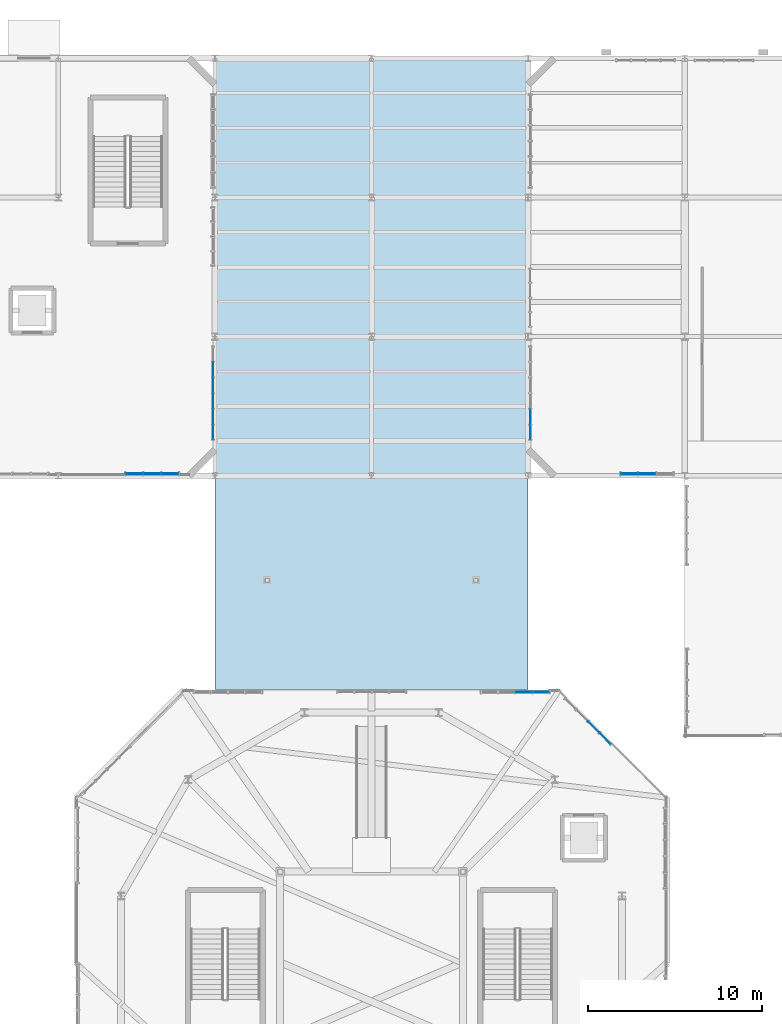
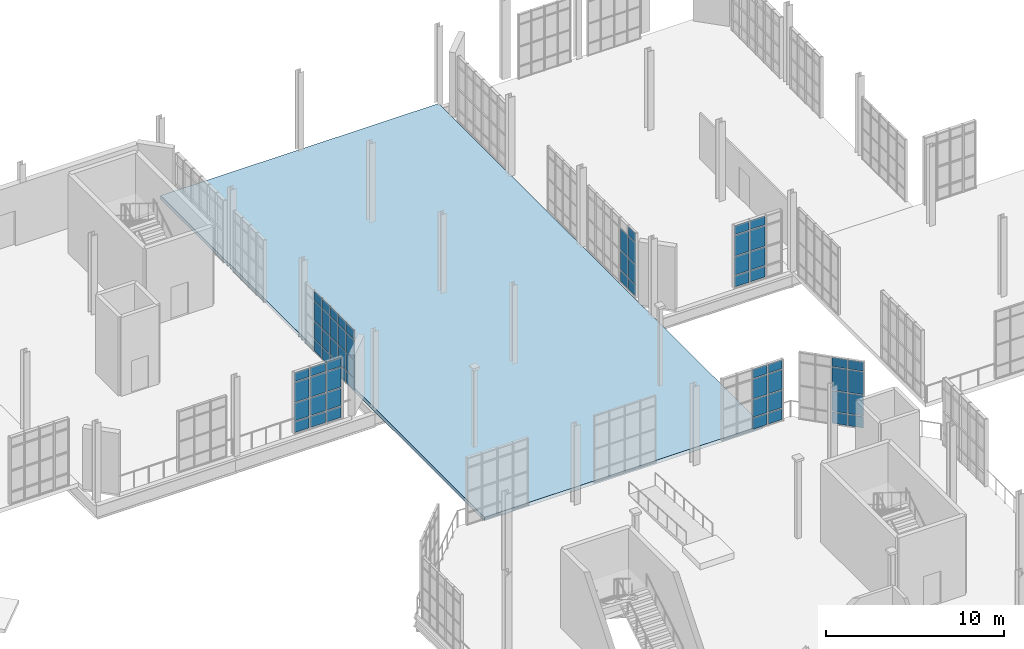
# One storey, part 153 of 189: 63 plates, 1 slab, 6 elements without a shape of their own.
"""IFC4 building model written with IfcOpenShell, lengths in metres."""

from ifc_helpers import new_model, si_unit, direction, frame, origin, origin_2d, place, context, subcontext, project, spatial, polyline, rectangle, outline, extrude, material, layer, layer_set, type_object, element, aggregate, save


model = new_model("IFC4")

# Units and contexts
model_context = context("Model", 3, precision=1e-05, world=origin(), true_north=direction((0.0, 1.0)))
body_context = subcontext(model_context, "Body", "Model", "MODEL_VIEW")
ifc_project = project(units=[si_unit("LENGTHUNIT", "METRE"), si_unit("AREAUNIT", "SQUARE_METRE"), si_unit("VOLUMEUNIT", "CUBIC_METRE"), si_unit("PLANEANGLEUNIT", "RADIAN"), si_unit("MASSUNIT", "GRAM", prefix="KILO"), si_unit("THERMODYNAMICTEMPERATUREUNIT", "KELVIN"), si_unit("POWERUNIT", "WATT")], contexts=[model_context])

# Site, building, storey
site_placement = place(None, origin())
site = spatial("IfcSite", under=ifc_project, at=site_placement, CompositionType="ELEMENT")
building_placement = place(site_placement, origin())
building = spatial("IfcBuilding", under=site, at=building_placement, Name="Zelmaris Science Centre", CompositionType="ELEMENT")
storey_placement = place(building_placement, origin())
storey = spatial("IfcBuildingStorey", under=building, at=storey_placement, Name="L00", CompositionType="ELEMENT", Elevation=0.0)

# Curtain wall, plates
ifc_material_1 = material(Name="Anodised architectural aluminium 6063-T6", Category="aluminium")
ifc_layer_1 = layer(ifc_material_1, 0.18994140625, Name="Anodised architectural aluminium 6063-T6")
ifc_layer_set_1 = layer_set([ifc_layer_1], Name="Anodised architectural aluminium 6063-T6")
curtain_wall_type_1 = type_object("IfcCurtainWallType", Name="Curtain Wall CW-01", PredefinedType="USERDEFINED", material=ifc_layer_set_1)
curtain_wall_1_placement = place(storey_placement, origin())
curtain_wall_1 = element("IfcCurtainWall", 1, at=curtain_wall_1_placement, inside=storey, type_object=curtain_wall_type_1, Name="L00 Unitised curtain wall 33", ObjectType="GLAZED CURTAIN WALL", PredefinedType="USERDEFINED")
ifc_material_2 = material(Name="Laminated hurricane-rated low-E insulated glazing", Category="glass")
ifc_layer_2 = layer(ifc_material_2, 0.031982421875, Name="Laminated hurricane-rated low-E insulated glazing")
ifc_layer_set_2 = layer_set([ifc_layer_2], Name="Laminated hurricane-rated low-E insulated glazing")
plate_type_1 = type_object("IfcPlateType", Name="Curtain Glazing Panel CWP-1 32mm", PredefinedType="CURTAIN_PANEL", material=ifc_layer_set_2)
plate_1_placement = place(storey_placement, frame((69.4169921875, 64.1201171875, 0.05712890625), z_axis=(0.0, 0.0, 1.0), x_axis=(-1.0, 0.0, 0.0)))
plate_1 = element("IfcPlate", 2, at=plate_1_placement, type_object=plate_type_1, Name="CW-01 panel 1.1", PredefinedType="CURTAIN_PANEL", context=body_context, shape_type="SweptSolid", body=[
    extrude(rectangle(XDim=0.94189453125, YDim=0.031982421875, at=origin_2d()), origin(), (0.0, 0.0, 1.0), 0.741943359375),
])
plate_2_placement = place(storey_placement, frame((69.4169921875, 64.1201171875, 0.87109375), z_axis=(0.0, 0.0, 1.0), x_axis=(-1.0, 0.0, 0.0)))
plate_2 = element("IfcPlate", 3, at=plate_2_placement, type_object=plate_type_1, Name="CW-01 panel 1.2", PredefinedType="CURTAIN_PANEL", context=body_context, shape_type="SweptSolid", body=[
    extrude(rectangle(XDim=0.94189453125, YDim=0.031982421875, at=origin_2d()), origin(), (0.0, 0.0, 1.0), 1.197509765625),
])
plate_3_placement = place(storey_placement, frame((69.4169921875, 64.1201171875, 2.140625), z_axis=(0.0, 0.0, 1.0), x_axis=(-1.0, 0.0, 0.0)))
plate_3 = element("IfcPlate", 4, at=plate_3_placement, type_object=plate_type_1, Name="CW-01 panel 1.3", PredefinedType="CURTAIN_PANEL", context=body_context, shape_type="SweptSolid", body=[
    extrude(rectangle(XDim=0.94189453125, YDim=0.031982421875, at=origin_2d()), origin(), (0.0, 0.0, 1.0), 1.347412109375),
])
plate_4_placement = place(storey_placement, frame((69.4169921875, 64.1201171875, 3.56005859375), z_axis=(0.0, 0.0, 1.0), x_axis=(-1.0, 0.0, 0.0)))
plate_4 = element("IfcPlate", 5, at=plate_4_placement, type_object=plate_type_1, Name="CW-01 panel 1.4", PredefinedType="CURTAIN_PANEL", context=body_context, shape_type="SweptSolid", body=[
    extrude(rectangle(XDim=0.94189453125, YDim=0.031982421875, at=origin_2d()), origin(), (0.0, 0.0, 1.0), 0.592041015625),
])
plate_5_placement = place(storey_placement, frame((68.385009765625, 64.1201171875, 0.05712890625), z_axis=(0.0, 0.0, 1.0), x_axis=(-1.0, 0.0, 0.0)))
plate_5 = element("IfcPlate", 6, at=plate_5_placement, type_object=plate_type_1, Name="CW-01 panel 2.1", PredefinedType="CURTAIN_PANEL", context=body_context, shape_type="SweptSolid", body=[
    extrude(rectangle(XDim=0.97802734375, YDim=0.031982421875, at=origin_2d()), origin(), (0.0, 0.0, 1.0), 0.741943359375),
])
plate_6_placement = place(storey_placement, frame((68.385009765625, 64.1201171875, 0.87109375), z_axis=(0.0, 0.0, 1.0), x_axis=(-1.0, 0.0, 0.0)))
plate_6 = element("IfcPlate", 7, at=plate_6_placement, type_object=plate_type_1, Name="CW-01 panel 2.2", PredefinedType="CURTAIN_PANEL", context=body_context, shape_type="SweptSolid", body=[
    extrude(rectangle(XDim=0.97802734375, YDim=0.031982421875, at=origin_2d()), origin(), (0.0, 0.0, 1.0), 1.197509765625),
])
plate_7_placement = place(storey_placement, frame((68.385009765625, 64.1201171875, 2.140625), z_axis=(0.0, 0.0, 1.0), x_axis=(-1.0, 0.0, 0.0)))
plate_7 = element("IfcPlate", 8, at=plate_7_placement, type_object=plate_type_1, Name="CW-01 panel 2.3", PredefinedType="CURTAIN_PANEL", context=body_context, shape_type="SweptSolid", body=[
    extrude(rectangle(XDim=0.97802734375, YDim=0.031982421875, at=origin_2d()), origin(), (0.0, 0.0, 1.0), 1.347412109375),
])
plate_8_placement = place(storey_placement, frame((68.385009765625, 64.1201171875, 3.56005859375), z_axis=(0.0, 0.0, 1.0), x_axis=(-1.0, 0.0, 0.0)))
plate_8 = element("IfcPlate", 9, at=plate_8_placement, type_object=plate_type_1, Name="CW-01 panel 2.4", PredefinedType="CURTAIN_PANEL", context=body_context, shape_type="SweptSolid", body=[
    extrude(rectangle(XDim=0.97802734375, YDim=0.031982421875, at=origin_2d()), origin(), (0.0, 0.0, 1.0), 0.592041015625),
])
plate_9_placement = place(storey_placement, frame((67.35302734375, 64.1201171875, 0.05712890625), z_axis=(0.0, 0.0, 1.0), x_axis=(-1.0, 0.0, 0.0)))
plate_9 = element("IfcPlate", 10, at=plate_9_placement, type_object=plate_type_1, Name="CW-01 panel 3.1", PredefinedType="CURTAIN_PANEL", context=body_context, shape_type="SweptSolid", body=[
    extrude(rectangle(XDim=0.94189453125, YDim=0.031982421875, at=origin_2d()), origin(), (0.0, 0.0, 1.0), 0.741943359375),
])
plate_10_placement = place(storey_placement, frame((67.35302734375, 64.1201171875, 0.87109375), z_axis=(0.0, 0.0, 1.0), x_axis=(-1.0, 0.0, 0.0)))
plate_10 = element("IfcPlate", 11, at=plate_10_placement, type_object=plate_type_1, Name="CW-01 panel 3.2", PredefinedType="CURTAIN_PANEL", context=body_context, shape_type="SweptSolid", body=[
    extrude(rectangle(XDim=0.94189453125, YDim=0.031982421875, at=origin_2d()), origin(), (0.0, 0.0, 1.0), 1.197509765625),
])
plate_11_placement = place(storey_placement, frame((67.35302734375, 64.1201171875, 2.140625), z_axis=(0.0, 0.0, 1.0), x_axis=(-1.0, 0.0, 0.0)))
plate_11 = element("IfcPlate", 12, at=plate_11_placement, type_object=plate_type_1, Name="CW-01 panel 3.3", PredefinedType="CURTAIN_PANEL", context=body_context, shape_type="SweptSolid", body=[
    extrude(rectangle(XDim=0.94189453125, YDim=0.031982421875, at=origin_2d()), origin(), (0.0, 0.0, 1.0), 1.347412109375),
])
plate_12_placement = place(storey_placement, frame((67.35302734375, 64.1201171875, 3.56005859375), z_axis=(0.0, 0.0, 1.0), x_axis=(-1.0, 0.0, 0.0)))
plate_12 = element("IfcPlate", 13, at=plate_12_placement, type_object=plate_type_1, Name="CW-01 panel 3.4", PredefinedType="CURTAIN_PANEL", context=body_context, shape_type="SweptSolid", body=[
    extrude(rectangle(XDim=0.94189453125, YDim=0.031982421875, at=origin_2d()), origin(), (0.0, 0.0, 1.0), 0.592041015625),
])
aggregate(curtain_wall_1, [plate_1, plate_2, plate_3, plate_4, plate_5, plate_6, plate_7, plate_8, plate_9, plate_10, plate_11, plate_12])

curtain_wall_2_placement = place(storey_placement, origin())
curtain_wall_2 = element("IfcCurtainWall", 14, at=curtain_wall_2_placement, inside=storey, type_object=curtain_wall_type_1, Name="L00 Unitised curtain wall 77", ObjectType="GLAZED CURTAIN WALL", PredefinedType="USERDEFINED")
plate_13_placement = place(storey_placement, frame((96.840087890625, 64.1201171875, 0.05712890625), z_axis=(0.0, 0.0, 1.0), x_axis=(-1.0, 0.0, 0.0)))
plate_13 = element("IfcPlate", 15, at=plate_13_placement, type_object=plate_type_1, Name="CW-01 panel 2.1", PredefinedType="CURTAIN_PANEL", context=body_context, shape_type="SweptSolid", body=[
    extrude(rectangle(XDim=0.968017578125, YDim=0.031982421875, at=origin_2d()), origin(), (0.0, 0.0, 1.0), 0.741943359375),
])
plate_14_placement = place(storey_placement, frame((96.840087890625, 64.1201171875, 0.87109375), z_axis=(0.0, 0.0, 1.0), x_axis=(-1.0, 0.0, 0.0)))
plate_14 = element("IfcPlate", 16, at=plate_14_placement, type_object=plate_type_1, Name="CW-01 panel 2.2", PredefinedType="CURTAIN_PANEL", context=body_context, shape_type="SweptSolid", body=[
    extrude(rectangle(XDim=0.968017578125, YDim=0.031982421875, at=origin_2d()), origin(), (0.0, 0.0, 1.0), 1.239501953125),
])
plate_15_placement = place(storey_placement, frame((96.840087890625, 64.1201171875, 2.1826171875), z_axis=(0.0, 0.0, 1.0), x_axis=(-1.0, 0.0, 0.0)))
plate_15 = element("IfcPlate", 17, at=plate_15_placement, type_object=plate_type_1, Name="CW-01 panel 2.3", PredefinedType="CURTAIN_PANEL", context=body_context, shape_type="SweptSolid", body=[
    extrude(rectangle(XDim=0.968017578125, YDim=0.031982421875, at=origin_2d()), origin(), (0.0, 0.0, 1.0), 1.389404296875),
])
plate_16_placement = place(storey_placement, frame((96.840087890625, 64.1201171875, 3.64404296875), z_axis=(0.0, 0.0, 1.0), x_axis=(-1.0, 0.0, 0.0)))
plate_16 = element("IfcPlate", 18, at=plate_16_placement, type_object=plate_type_1, Name="CW-01 panel 2.4", PredefinedType="CURTAIN_PANEL", context=body_context, shape_type="SweptSolid", body=[
    extrude(rectangle(XDim=0.968017578125, YDim=0.031982421875, at=origin_2d()), origin(), (0.0, 0.0, 1.0), 0.592041015625),
])
plate_17_placement = place(storey_placement, frame((95.818115234375, 64.1201171875, 0.05712890625), z_axis=(0.0, 0.0, 1.0), x_axis=(-1.0, 0.0, 0.0)))
plate_17 = element("IfcPlate", 19, at=plate_17_placement, type_object=plate_type_1, Name="CW-01 panel 3.1", PredefinedType="CURTAIN_PANEL", context=body_context, shape_type="SweptSolid", body=[
    extrude(rectangle(XDim=0.931884765625, YDim=0.031982421875, at=origin_2d()), origin(), (0.0, 0.0, 1.0), 0.741943359375),
])
plate_18_placement = place(storey_placement, frame((95.818115234375, 64.1201171875, 0.87109375), z_axis=(0.0, 0.0, 1.0), x_axis=(-1.0, 0.0, 0.0)))
plate_18 = element("IfcPlate", 20, at=plate_18_placement, type_object=plate_type_1, Name="CW-01 panel 3.2", PredefinedType="CURTAIN_PANEL", context=body_context, shape_type="SweptSolid", body=[
    extrude(rectangle(XDim=0.931884765625, YDim=0.031982421875, at=origin_2d()), origin(), (0.0, 0.0, 1.0), 1.239501953125),
])
plate_19_placement = place(storey_placement, frame((95.818115234375, 64.1201171875, 2.1826171875), z_axis=(0.0, 0.0, 1.0), x_axis=(-1.0, 0.0, 0.0)))
plate_19 = element("IfcPlate", 21, at=plate_19_placement, type_object=plate_type_1, Name="CW-01 panel 3.3", PredefinedType="CURTAIN_PANEL", context=body_context, shape_type="SweptSolid", body=[
    extrude(rectangle(XDim=0.931884765625, YDim=0.031982421875, at=origin_2d()), origin(), (0.0, 0.0, 1.0), 1.389404296875),
])
plate_20_placement = place(storey_placement, frame((95.818115234375, 64.1201171875, 3.64404296875), z_axis=(0.0, 0.0, 1.0), x_axis=(-1.0, 0.0, 0.0)))
plate_20 = element("IfcPlate", 22, at=plate_20_placement, type_object=plate_type_1, Name="CW-01 panel 3.4", PredefinedType="CURTAIN_PANEL", context=body_context, shape_type="SweptSolid", body=[
    extrude(rectangle(XDim=0.931884765625, YDim=0.031982421875, at=origin_2d()), origin(), (0.0, 0.0, 1.0), 0.592041015625),
])
aggregate(curtain_wall_2, [plate_13, plate_14, plate_15, plate_16, plate_17, plate_18, plate_19, plate_20])

ifc_layer_3 = layer(ifc_material_1, 0.199951171875, Name="Anodised architectural aluminium 6063-T6")
ifc_layer_set_3 = layer_set([ifc_layer_3], Name="Anodised architectural aluminium 6063-T6")
curtain_wall_type_2 = type_object("IfcCurtainWallType", Name="Curtain Wall CW-02", PredefinedType="USERDEFINED", material=ifc_layer_set_3)
curtain_wall_3_placement = place(storey_placement, origin())
curtain_wall_3 = element("IfcCurtainWall", 23, at=curtain_wall_3_placement, inside=storey, type_object=curtain_wall_type_2, Name="L00 Unitised curtain wall 58", ObjectType="GLAZED CURTAIN WALL", PredefinedType="USERDEFINED")
ifc_layer_4 = layer(ifc_material_2, 0.028076171875, Name="Laminated hurricane-rated low-E insulated glazing")
ifc_layer_set_4 = layer_set([ifc_layer_4], Name="Laminated hurricane-rated low-E insulated glazing")
plate_type_2 = type_object("IfcPlateType", Name="Curtain Glazing Panel CWP-2 28mm", PredefinedType="CURTAIN_PANEL", material=ifc_layer_set_4)
plate_21_placement = place(storey_placement, frame((89.757080078125, 51.579833984375, 0.052001953125), z_axis=(0.0, 0.0, 1.0), x_axis=(1.0, 0.0, 0.0)))
plate_21 = element("IfcPlate", 24, at=plate_21_placement, type_object=plate_type_2, Name="CW-02 panel 3.1", PredefinedType="CURTAIN_PANEL", context=body_context, shape_type="SweptSolid", body=[
    extrude(rectangle(XDim=0.934814453125, YDim=0.028076171875, at=origin_2d()), origin(), (0.0, 0.0, 1.0), 0.74951171875),
])
plate_22_placement = place(storey_placement, frame((89.757080078125, 51.579833984375, 0.86865234375), z_axis=(0.0, 0.0, 1.0), x_axis=(1.0, 0.0, 0.0)))
plate_22 = element("IfcPlate", 25, at=plate_22_placement, type_object=plate_type_2, Name="CW-02 panel 3.2", PredefinedType="CURTAIN_PANEL", context=body_context, shape_type="SweptSolid", body=[
    extrude(rectangle(XDim=0.934814453125, YDim=0.028076171875, at=origin_2d()), origin(), (0.0, 0.0, 1.0), 1.193603515625),
])
plate_23_placement = place(storey_placement, frame((89.757080078125, 51.579833984375, 2.12890625), z_axis=(0.0, 0.0, 1.0), x_axis=(1.0, 0.0, 0.0)))
plate_23 = element("IfcPlate", 26, at=plate_23_placement, type_object=plate_type_2, Name="CW-02 panel 3.3", PredefinedType="CURTAIN_PANEL", context=body_context, shape_type="SweptSolid", body=[
    extrude(rectangle(XDim=0.934814453125, YDim=0.028076171875, at=origin_2d()), origin(), (0.0, 0.0, 1.0), 1.343505859375),
])
plate_24_placement = place(storey_placement, frame((89.757080078125, 51.579833984375, 3.53955078125), z_axis=(0.0, 0.0, 1.0), x_axis=(1.0, 0.0, 0.0)))
plate_24 = element("IfcPlate", 27, at=plate_24_placement, type_object=plate_type_2, Name="CW-02 panel 3.4", PredefinedType="CURTAIN_PANEL", context=body_context, shape_type="SweptSolid", body=[
    extrude(rectangle(XDim=0.934814453125, YDim=0.028076171875, at=origin_2d()), origin(), (0.0, 0.0, 1.0), 0.599609375),
])
plate_25_placement = place(storey_placement, frame((90.7421875, 51.579833984375, 0.052001953125), z_axis=(0.0, 0.0, 1.0), x_axis=(1.0, 0.0, 0.0)))
plate_25 = element("IfcPlate", 28, at=plate_25_placement, type_object=plate_type_2, Name="CW-02 panel 4.1", PredefinedType="CURTAIN_PANEL", context=body_context, shape_type="SweptSolid", body=[
    extrude(rectangle(XDim=0.9013671875, YDim=0.028076171875, at=origin_2d()), origin(), (0.0, 0.0, 1.0), 0.74951171875),
])
plate_26_placement = place(storey_placement, frame((90.7421875, 51.579833984375, 0.86865234375), z_axis=(0.0, 0.0, 1.0), x_axis=(1.0, 0.0, 0.0)))
plate_26 = element("IfcPlate", 29, at=plate_26_placement, type_object=plate_type_2, Name="CW-02 panel 4.2", PredefinedType="CURTAIN_PANEL", context=body_context, shape_type="SweptSolid", body=[
    extrude(rectangle(XDim=0.9013671875, YDim=0.028076171875, at=origin_2d()), origin(), (0.0, 0.0, 1.0), 1.193603515625),
])
plate_27_placement = place(storey_placement, frame((90.7421875, 51.579833984375, 2.12890625), z_axis=(0.0, 0.0, 1.0), x_axis=(1.0, 0.0, 0.0)))
plate_27 = element("IfcPlate", 30, at=plate_27_placement, type_object=plate_type_2, Name="CW-02 panel 4.3", PredefinedType="CURTAIN_PANEL", context=body_context, shape_type="SweptSolid", body=[
    extrude(rectangle(XDim=0.9013671875, YDim=0.028076171875, at=origin_2d()), origin(), (0.0, 0.0, 1.0), 1.343505859375),
])
plate_28_placement = place(storey_placement, frame((90.7421875, 51.579833984375, 3.53955078125), z_axis=(0.0, 0.0, 1.0), x_axis=(1.0, 0.0, 0.0)))
plate_28 = element("IfcPlate", 31, at=plate_28_placement, type_object=plate_type_2, Name="CW-02 panel 4.4", PredefinedType="CURTAIN_PANEL", context=body_context, shape_type="SweptSolid", body=[
    extrude(rectangle(XDim=0.9013671875, YDim=0.028076171875, at=origin_2d()), origin(), (0.0, 0.0, 1.0), 0.599609375),
])
aggregate(curtain_wall_3, [plate_21, plate_22, plate_23, plate_24, plate_25, plate_26, plate_27, plate_28])

ifc_layer_5 = layer(ifc_material_1, 0.2099609375, Name="Anodised architectural aluminium 6063-T6")
ifc_layer_set_5 = layer_set([ifc_layer_5], Name="Anodised architectural aluminium 6063-T6")
curtain_wall_type_3 = type_object("IfcCurtainWallType", Name="Curtain Wall CW-03", PredefinedType="USERDEFINED", material=ifc_layer_set_5)
curtain_wall_4_placement = place(storey_placement, origin())
curtain_wall_4 = element("IfcCurtainWall", 32, at=curtain_wall_4_placement, inside=storey, type_object=curtain_wall_type_3, Name="L00 Unitised curtain wall 59", ObjectType="GLAZED CURTAIN WALL", PredefinedType="USERDEFINED")
ifc_layer_6 = layer(ifc_material_2, 0.02587890625, Name="Laminated hurricane-rated low-E insulated glazing")
ifc_layer_set_6 = layer_set([ifc_layer_6], Name="Laminated hurricane-rated low-E insulated glazing")
plate_type_3 = type_object("IfcPlateType", Name="Curtain Glazing Panel CWP-3 26mm", PredefinedType="CURTAIN_PANEL", material=ifc_layer_set_6)
plate_29_placement = place(storey_placement, frame((93.769287109375, 49.560791015625, 0.0419921875), z_axis=(0.0, 0.0, 1.0), x_axis=(0.707106781187, -0.707106781187, 0.0)))
plate_29 = element("IfcPlate", 33, at=plate_29_placement, type_object=plate_type_3, Name="CW-03 panel 3.1", PredefinedType="CURTAIN_PANEL", context=body_context, shape_type="SweptSolid", body=[
    extrude(rectangle(XDim=0.888916015625, YDim=0.02587890625, at=origin_2d()), origin(), (0.0, 0.0, 1.0), 0.764404296875),
])
plate_30_placement = place(storey_placement, frame((93.769287109375, 49.560791015625, 0.863525390625), z_axis=(0.0, 0.0, 1.0), x_axis=(0.707106781187, -0.707106781187, 0.0)))
plate_30 = element("IfcPlate", 34, at=plate_30_placement, type_object=plate_type_3, Name="CW-03 panel 3.2", PredefinedType="CURTAIN_PANEL", context=body_context, shape_type="SweptSolid", body=[
    extrude(rectangle(XDim=0.888916015625, YDim=0.02587890625, at=origin_2d()), origin(), (0.0, 0.0, 1.0), 1.400390625),
])
plate_31_placement = place(storey_placement, frame((93.769287109375, 49.560791015625, 2.32080078125), z_axis=(0.0, 0.0, 1.0), x_axis=(0.707106781187, -0.707106781187, 0.0)))
plate_31 = element("IfcPlate", 35, at=plate_31_placement, type_object=plate_type_3, Name="CW-03 panel 3.3", PredefinedType="CURTAIN_PANEL", context=body_context, shape_type="SweptSolid", body=[
    extrude(rectangle(XDim=0.888916015625, YDim=0.02587890625, at=origin_2d()), origin(), (0.0, 0.0, 1.0), 1.550537109375),
])
plate_32_placement = place(storey_placement, frame((93.769287109375, 49.560791015625, 3.9287109375), z_axis=(0.0, 0.0, 1.0), x_axis=(0.707106781187, -0.707106781187, 0.0)))
plate_32 = element("IfcPlate", 36, at=plate_32_placement, type_object=plate_type_3, Name="CW-03 panel 3.4", PredefinedType="CURTAIN_PANEL", context=body_context, shape_type="SweptSolid", body=[
    extrude(rectangle(XDim=0.888916015625, YDim=0.02587890625, at=origin_2d()), origin(), (0.0, 0.0, 1.0), 0.614501953125),
])
plate_33_placement = place(storey_placement, frame((94.427978515625, 48.902099609375, 0.0419921875), z_axis=(0.0, 0.0, 1.0), x_axis=(0.707106781187, -0.707106781187, 0.0)))
plate_33 = element("IfcPlate", 37, at=plate_33_placement, type_object=plate_type_3, Name="CW-03 panel 4.1", PredefinedType="CURTAIN_PANEL", context=body_context, shape_type="SweptSolid", body=[
    extrude(rectangle(XDim=0.860595703125, YDim=0.02587890625, at=origin_2d()), origin(), (0.0, 0.0, 1.0), 0.764404296875),
])
plate_34_placement = place(storey_placement, frame((94.427978515625, 48.902099609375, 0.863525390625), z_axis=(0.0, 0.0, 1.0), x_axis=(0.707106781187, -0.707106781187, 0.0)))
plate_34 = element("IfcPlate", 38, at=plate_34_placement, type_object=plate_type_3, Name="CW-03 panel 4.2", PredefinedType="CURTAIN_PANEL", context=body_context, shape_type="SweptSolid", body=[
    extrude(rectangle(XDim=0.860595703125, YDim=0.02587890625, at=origin_2d()), origin(), (0.0, 0.0, 1.0), 1.400390625),
])
plate_35_placement = place(storey_placement, frame((94.427978515625, 48.902099609375, 2.32080078125), z_axis=(0.0, 0.0, 1.0), x_axis=(0.707106781187, -0.707106781187, 0.0)))
plate_35 = element("IfcPlate", 39, at=plate_35_placement, type_object=plate_type_3, Name="CW-03 panel 4.3", PredefinedType="CURTAIN_PANEL", context=body_context, shape_type="SweptSolid", body=[
    extrude(rectangle(XDim=0.860595703125, YDim=0.02587890625, at=origin_2d()), origin(), (0.0, 0.0, 1.0), 1.550537109375),
])
plate_36_placement = place(storey_placement, frame((94.427978515625, 48.902099609375, 3.9287109375), z_axis=(0.0, 0.0, 1.0), x_axis=(0.707106781187, -0.707106781187, 0.0)))
plate_36 = element("IfcPlate", 40, at=plate_36_placement, type_object=plate_type_3, Name="CW-03 panel 4.4", PredefinedType="CURTAIN_PANEL", context=body_context, shape_type="SweptSolid", body=[
    extrude(rectangle(XDim=0.860595703125, YDim=0.02587890625, at=origin_2d()), origin(), (0.0, 0.0, 1.0), 0.614501953125),
])
aggregate(curtain_wall_4, [plate_29, plate_30, plate_31, plate_32, plate_33, plate_34, plate_35, plate_36])

curtain_wall_5_placement = place(storey_placement, origin())
curtain_wall_5 = element("IfcCurtainWall", 41, at=curtain_wall_5_placement, inside=storey, type_object=curtain_wall_type_3, Name="L00 Unitised curtain wall 79", ObjectType="GLAZED CURTAIN WALL", PredefinedType="USERDEFINED")
plate_37_placement = place(storey_placement, frame((90.1201171875, 66.505859375, 0.0419921875), z_axis=(0.0, 0.0, 1.0), x_axis=(0.0, 1.0, 0.0)))
plate_37 = element("IfcPlate", 42, at=plate_37_placement, type_object=plate_type_3, Name="CW-03 panel 1.1", PredefinedType="CURTAIN_PANEL", context=body_context, shape_type="SweptSolid", body=[
    extrude(rectangle(XDim=0.81787109375, YDim=0.02587890625, at=origin_2d()), origin(), (0.0, 0.0, 1.0), 0.764404296875),
])
plate_38_placement = place(storey_placement, frame((90.1201171875, 66.505859375, 0.86328125), z_axis=(0.0, 0.0, 1.0), x_axis=(0.0, 1.0, 0.0)))
plate_38 = element("IfcPlate", 43, at=plate_38_placement, type_object=plate_type_3, Name="CW-03 panel 1.2", PredefinedType="CURTAIN_PANEL", context=body_context, shape_type="SweptSolid", body=[
    extrude(rectangle(XDim=0.81787109375, YDim=0.02587890625, at=origin_2d()), origin(), (0.0, 0.0, 1.0), 1.301513671875),
])
plate_39_placement = place(storey_placement, frame((90.1201171875, 66.505859375, 2.22216796875), z_axis=(0.0, 0.0, 1.0), x_axis=(0.0, 1.0, 0.0)))
plate_39 = element("IfcPlate", 44, at=plate_39_placement, type_object=plate_type_3, Name="CW-03 panel 1.3", PredefinedType="CURTAIN_PANEL", context=body_context, shape_type="SweptSolid", body=[
    extrude(rectangle(XDim=0.81787109375, YDim=0.02587890625, at=origin_2d()), origin(), (0.0, 0.0, 1.0), 1.451416015625),
])
plate_40_placement = place(storey_placement, frame((90.1201171875, 66.505859375, 3.73046875), z_axis=(0.0, 0.0, 1.0), x_axis=(0.0, 1.0, 0.0)))
plate_40 = element("IfcPlate", 45, at=plate_40_placement, type_object=plate_type_3, Name="CW-03 panel 1.4", PredefinedType="CURTAIN_PANEL", context=body_context, shape_type="SweptSolid", body=[
    extrude(rectangle(XDim=0.81787109375, YDim=0.02587890625, at=origin_2d()), origin(), (0.0, 0.0, 1.0), 0.614501953125),
])
plate_41_placement = place(storey_placement, frame((90.1201171875, 67.39501953125, 0.0419921875), z_axis=(0.0, 0.0, 1.0), x_axis=(0.0, 1.0, 0.0)))
plate_41 = element("IfcPlate", 46, at=plate_41_placement, type_object=plate_type_3, Name="CW-03 panel 2.1", PredefinedType="CURTAIN_PANEL", context=body_context, shape_type="SweptSolid", body=[
    extrude(rectangle(XDim=0.846435546875, YDim=0.02587890625, at=origin_2d()), origin(), (0.0, 0.0, 1.0), 0.764404296875),
])
plate_42_placement = place(storey_placement, frame((90.1201171875, 67.39501953125, 0.86328125), z_axis=(0.0, 0.0, 1.0), x_axis=(0.0, 1.0, 0.0)))
plate_42 = element("IfcPlate", 47, at=plate_42_placement, type_object=plate_type_3, Name="CW-03 panel 2.2", PredefinedType="CURTAIN_PANEL", context=body_context, shape_type="SweptSolid", body=[
    extrude(rectangle(XDim=0.846435546875, YDim=0.02587890625, at=origin_2d()), origin(), (0.0, 0.0, 1.0), 1.301513671875),
])
plate_43_placement = place(storey_placement, frame((90.1201171875, 67.39501953125, 2.22216796875), z_axis=(0.0, 0.0, 1.0), x_axis=(0.0, 1.0, 0.0)))
plate_43 = element("IfcPlate", 48, at=plate_43_placement, type_object=plate_type_3, Name="CW-03 panel 2.3", PredefinedType="CURTAIN_PANEL", context=body_context, shape_type="SweptSolid", body=[
    extrude(rectangle(XDim=0.846435546875, YDim=0.02587890625, at=origin_2d()), origin(), (0.0, 0.0, 1.0), 1.451416015625),
])
aggregate(curtain_wall_5, [plate_37, plate_38, plate_39, plate_40, plate_41, plate_42, plate_43])

ifc_layer_7 = layer(ifc_material_1, 0.219970703125, Name="Anodised architectural aluminium 6063-T6")
ifc_layer_set_7 = layer_set([ifc_layer_7], Name="Anodised architectural aluminium 6063-T6")
curtain_wall_type_4 = type_object("IfcCurtainWallType", Name="Curtain Wall CW-04", PredefinedType="USERDEFINED", material=ifc_layer_set_7)
curtain_wall_6_placement = place(storey_placement, origin())
curtain_wall_6 = element("IfcCurtainWall", 49, at=curtain_wall_6_placement, inside=storey, type_object=curtain_wall_type_4, Name="L00 Unitised curtain wall 32", ObjectType="GLAZED CURTAIN WALL", PredefinedType="USERDEFINED")
ifc_layer_8 = layer(ifc_material_2, 0.02392578125, Name="Laminated hurricane-rated low-E insulated glazing")
ifc_layer_set_8 = layer_set([ifc_layer_8], Name="Laminated hurricane-rated low-E insulated glazing")
plate_type_4 = type_object("IfcPlateType", Name="Curtain Glazing Panel CWP-4 24mm", PredefinedType="CURTAIN_PANEL", material=ifc_layer_set_8)
plate_44_placement = place(storey_placement, frame((71.8798828125, 70.10498046875, 0.037109375), z_axis=(0.0, 0.0, 1.0), x_axis=(0.0, -1.0, 0.0)))
plate_44 = element("IfcPlate", 50, at=plate_44_placement, type_object=plate_type_4, Name="CW-04 panel 2.1", PredefinedType="CURTAIN_PANEL", context=body_context, shape_type="SweptSolid", body=[
    extrude(rectangle(XDim=0.851318359375, YDim=0.02392578125, at=origin_2d()), origin(), (0.0, 0.0, 1.0), 0.77197265625),
])
plate_45_placement = place(storey_placement, frame((71.8798828125, 70.10498046875, 0.861083984375), z_axis=(0.0, 0.0, 1.0), x_axis=(0.0, -1.0, 0.0)))
plate_45 = element("IfcPlate", 51, at=plate_45_placement, type_object=plate_type_4, Name="CW-04 panel 2.2", PredefinedType="CURTAIN_PANEL", context=body_context, shape_type="SweptSolid", body=[
    extrude(rectangle(XDim=0.851318359375, YDim=0.02392578125, at=origin_2d()), origin(), (0.0, 0.0, 1.0), 1.19091796875),
])
plate_46_placement = place(storey_placement, frame((71.8798828125, 70.10498046875, 2.10400390625), z_axis=(0.0, 0.0, 1.0), x_axis=(0.0, -1.0, 0.0)))
plate_46 = element("IfcPlate", 52, at=plate_46_placement, type_object=plate_type_4, Name="CW-04 panel 2.3", PredefinedType="CURTAIN_PANEL", context=body_context, shape_type="SweptSolid", body=[
    extrude(rectangle(XDim=0.851318359375, YDim=0.02392578125, at=origin_2d()), origin(), (0.0, 0.0, 1.0), 1.341064453125),
])
plate_47_placement = place(storey_placement, frame((71.8798828125, 70.10498046875, 3.4970703125), z_axis=(0.0, 0.0, 1.0), x_axis=(0.0, -1.0, 0.0)))
plate_47 = element("IfcPlate", 53, at=plate_47_placement, type_object=plate_type_4, Name="CW-04 panel 2.4", PredefinedType="CURTAIN_PANEL", context=body_context, shape_type="SweptSolid", body=[
    extrude(rectangle(XDim=0.851318359375, YDim=0.02392578125, at=origin_2d()), origin(), (0.0, 0.0, 1.0), 0.6220703125),
])
plate_48_placement = place(storey_placement, frame((71.8798828125, 69.20166015625, 0.037109375), z_axis=(0.0, 0.0, 1.0), x_axis=(0.0, -1.0, 0.0)))
plate_48 = element("IfcPlate", 54, at=plate_48_placement, type_object=plate_type_4, Name="CW-04 panel 3.1", PredefinedType="CURTAIN_PANEL", context=body_context, shape_type="SweptSolid", body=[
    extrude(rectangle(XDim=0.851318359375, YDim=0.02392578125, at=origin_2d()), origin(), (0.0, 0.0, 1.0), 0.77197265625),
])
plate_49_placement = place(storey_placement, frame((71.8798828125, 69.20166015625, 0.861083984375), z_axis=(0.0, 0.0, 1.0), x_axis=(0.0, -1.0, 0.0)))
plate_49 = element("IfcPlate", 55, at=plate_49_placement, type_object=plate_type_4, Name="CW-04 panel 3.2", PredefinedType="CURTAIN_PANEL", context=body_context, shape_type="SweptSolid", body=[
    extrude(rectangle(XDim=0.851318359375, YDim=0.02392578125, at=origin_2d()), origin(), (0.0, 0.0, 1.0), 1.19091796875),
])
plate_50_placement = place(storey_placement, frame((71.8798828125, 69.20166015625, 2.10400390625), z_axis=(0.0, 0.0, 1.0), x_axis=(0.0, -1.0, 0.0)))
plate_50 = element("IfcPlate", 56, at=plate_50_placement, type_object=plate_type_4, Name="CW-04 panel 3.3", PredefinedType="CURTAIN_PANEL", context=body_context, shape_type="SweptSolid", body=[
    extrude(rectangle(XDim=0.851318359375, YDim=0.02392578125, at=origin_2d()), origin(), (0.0, 0.0, 1.0), 1.341064453125),
])
plate_51_placement = place(storey_placement, frame((71.8798828125, 69.20166015625, 3.4970703125), z_axis=(0.0, 0.0, 1.0), x_axis=(0.0, -1.0, 0.0)))
plate_51 = element("IfcPlate", 57, at=plate_51_placement, type_object=plate_type_4, Name="CW-04 panel 3.4", PredefinedType="CURTAIN_PANEL", context=body_context, shape_type="SweptSolid", body=[
    extrude(rectangle(XDim=0.851318359375, YDim=0.02392578125, at=origin_2d()), origin(), (0.0, 0.0, 1.0), 0.6220703125),
])
plate_52_placement = place(storey_placement, frame((71.8798828125, 68.29833984375, 0.037109375), z_axis=(0.0, 0.0, 1.0), x_axis=(0.0, -1.0, 0.0)))
plate_52 = element("IfcPlate", 58, at=plate_52_placement, type_object=plate_type_4, Name="CW-04 panel 4.1", PredefinedType="CURTAIN_PANEL", context=body_context, shape_type="SweptSolid", body=[
    extrude(rectangle(XDim=0.851318359375, YDim=0.02392578125, at=origin_2d()), origin(), (0.0, 0.0, 1.0), 0.77197265625),
])
plate_53_placement = place(storey_placement, frame((71.8798828125, 68.29833984375, 0.861083984375), z_axis=(0.0, 0.0, 1.0), x_axis=(0.0, -1.0, 0.0)))
plate_53 = element("IfcPlate", 59, at=plate_53_placement, type_object=plate_type_4, Name="CW-04 panel 4.2", PredefinedType="CURTAIN_PANEL", context=body_context, shape_type="SweptSolid", body=[
    extrude(rectangle(XDim=0.851318359375, YDim=0.02392578125, at=origin_2d()), origin(), (0.0, 0.0, 1.0), 1.19091796875),
])
plate_54_placement = place(storey_placement, frame((71.8798828125, 68.29833984375, 2.10400390625), z_axis=(0.0, 0.0, 1.0), x_axis=(0.0, -1.0, 0.0)))
plate_54 = element("IfcPlate", 60, at=plate_54_placement, type_object=plate_type_4, Name="CW-04 panel 4.3", PredefinedType="CURTAIN_PANEL", context=body_context, shape_type="SweptSolid", body=[
    extrude(rectangle(XDim=0.851318359375, YDim=0.02392578125, at=origin_2d()), origin(), (0.0, 0.0, 1.0), 1.341064453125),
])
plate_55_placement = place(storey_placement, frame((71.8798828125, 68.29833984375, 3.4970703125), z_axis=(0.0, 0.0, 1.0), x_axis=(0.0, -1.0, 0.0)))
plate_55 = element("IfcPlate", 61, at=plate_55_placement, type_object=plate_type_4, Name="CW-04 panel 4.4", PredefinedType="CURTAIN_PANEL", context=body_context, shape_type="SweptSolid", body=[
    extrude(rectangle(XDim=0.851318359375, YDim=0.02392578125, at=origin_2d()), origin(), (0.0, 0.0, 1.0), 0.6220703125),
])
plate_56_placement = place(storey_placement, frame((71.8798828125, 67.39501953125, 0.037109375), z_axis=(0.0, 0.0, 1.0), x_axis=(0.0, -1.0, 0.0)))
plate_56 = element("IfcPlate", 62, at=plate_56_placement, type_object=plate_type_4, Name="CW-04 panel 5.1", PredefinedType="CURTAIN_PANEL", context=body_context, shape_type="SweptSolid", body=[
    extrude(rectangle(XDim=0.851318359375, YDim=0.02392578125, at=origin_2d()), origin(), (0.0, 0.0, 1.0), 0.77197265625),
])
plate_57_placement = place(storey_placement, frame((71.8798828125, 67.39501953125, 0.861083984375), z_axis=(0.0, 0.0, 1.0), x_axis=(0.0, -1.0, 0.0)))
plate_57 = element("IfcPlate", 63, at=plate_57_placement, type_object=plate_type_4, Name="CW-04 panel 5.2", PredefinedType="CURTAIN_PANEL", context=body_context, shape_type="SweptSolid", body=[
    extrude(rectangle(XDim=0.851318359375, YDim=0.02392578125, at=origin_2d()), origin(), (0.0, 0.0, 1.0), 1.19091796875),
])
plate_58_placement = place(storey_placement, frame((71.8798828125, 67.39501953125, 2.10400390625), z_axis=(0.0, 0.0, 1.0), x_axis=(0.0, -1.0, 0.0)))
plate_58 = element("IfcPlate", 64, at=plate_58_placement, type_object=plate_type_4, Name="CW-04 panel 5.3", PredefinedType="CURTAIN_PANEL", context=body_context, shape_type="SweptSolid", body=[
    extrude(rectangle(XDim=0.851318359375, YDim=0.02392578125, at=origin_2d()), origin(), (0.0, 0.0, 1.0), 1.341064453125),
])
plate_59_placement = place(storey_placement, frame((71.8798828125, 67.39501953125, 3.4970703125), z_axis=(0.0, 0.0, 1.0), x_axis=(0.0, -1.0, 0.0)))
plate_59 = element("IfcPlate", 65, at=plate_59_placement, type_object=plate_type_4, Name="CW-04 panel 5.4", PredefinedType="CURTAIN_PANEL", context=body_context, shape_type="SweptSolid", body=[
    extrude(rectangle(XDim=0.851318359375, YDim=0.02392578125, at=origin_2d()), origin(), (0.0, 0.0, 1.0), 0.6220703125),
])
plate_60_placement = place(storey_placement, frame((71.8798828125, 66.504638671875, 0.037109375), z_axis=(0.0, 0.0, 1.0), x_axis=(0.0, -1.0, 0.0)))
plate_60 = element("IfcPlate", 66, at=plate_60_placement, type_object=plate_type_4, Name="CW-04 panel 6.1", PredefinedType="CURTAIN_PANEL", context=body_context, shape_type="SweptSolid", body=[
    extrude(rectangle(XDim=0.825439453125, YDim=0.02392578125, at=origin_2d()), origin(), (0.0, 0.0, 1.0), 0.77197265625),
])
plate_61_placement = place(storey_placement, frame((71.8798828125, 66.504638671875, 0.861083984375), z_axis=(0.0, 0.0, 1.0), x_axis=(0.0, -1.0, 0.0)))
plate_61 = element("IfcPlate", 67, at=plate_61_placement, type_object=plate_type_4, Name="CW-04 panel 6.2", PredefinedType="CURTAIN_PANEL", context=body_context, shape_type="SweptSolid", body=[
    extrude(rectangle(XDim=0.825439453125, YDim=0.02392578125, at=origin_2d()), origin(), (0.0, 0.0, 1.0), 1.19091796875),
])
plate_62_placement = place(storey_placement, frame((71.8798828125, 66.504638671875, 2.10400390625), z_axis=(0.0, 0.0, 1.0), x_axis=(0.0, -1.0, 0.0)))
plate_62 = element("IfcPlate", 68, at=plate_62_placement, type_object=plate_type_4, Name="CW-04 panel 6.3", PredefinedType="CURTAIN_PANEL", context=body_context, shape_type="SweptSolid", body=[
    extrude(rectangle(XDim=0.825439453125, YDim=0.02392578125, at=origin_2d()), origin(), (0.0, 0.0, 1.0), 1.341064453125),
])
plate_63_placement = place(storey_placement, frame((71.8798828125, 66.504638671875, 3.4970703125), z_axis=(0.0, 0.0, 1.0), x_axis=(0.0, -1.0, 0.0)))
plate_63 = element("IfcPlate", 69, at=plate_63_placement, type_object=plate_type_4, Name="CW-04 panel 6.4", PredefinedType="CURTAIN_PANEL", context=body_context, shape_type="SweptSolid", body=[
    extrude(rectangle(XDim=0.825439453125, YDim=0.02392578125, at=origin_2d()), origin(), (0.0, 0.0, 1.0), 0.6220703125),
])
aggregate(curtain_wall_6, [plate_44, plate_45, plate_46, plate_47, plate_48, plate_49, plate_50, plate_51, plate_52, plate_53, plate_54, plate_55, plate_56, plate_57, plate_58, plate_59, plate_60, plate_61, plate_62, plate_63])

# Slab
ifc_material_3 = material(Name="Concrete C40/50", Category="concrete")
ifc_layer_9 = layer(ifc_material_3, 0.25, Name="Concrete C40/50")
ifc_layer_set_9 = layer_set([ifc_layer_9], Name="Concrete C40/50")
slab_type = type_object("IfcSlabType", Name="Slab SL-TR250 250mm", PredefinedType="FLOOR", material=ifc_layer_set_9)
slab_placement = place(storey_placement, frame((0.0, 0.0, -0.25)))
element("IfcSlab", 70, at=slab_placement, inside=storey, type_object=slab_type, Name="L00 Cross-block public colonnaded passage", PredefinedType="FLOOR", context=body_context, shape_type="SweptSolid", body=[
    extrude(outline(polyline([(90.0, 51.7099609375), (72.0, 51.7099609375), (72.010009765625, 65.5), (72.0, 88.0), (90.0, 88.0), (89.989990234375, 86.5), (90.0, 51.7099609375)])), origin(), (0.0, 0.0, 1.0), 0.25),
])

save(model, "model.ifc")
